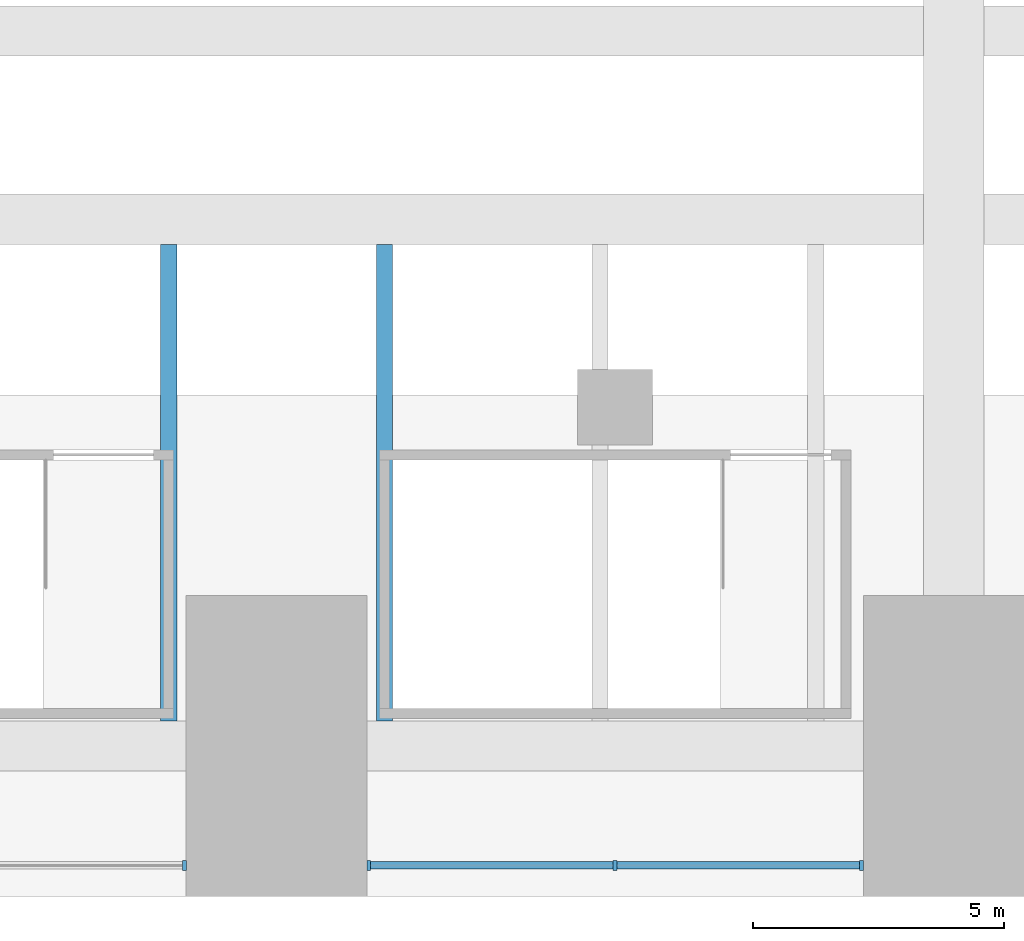
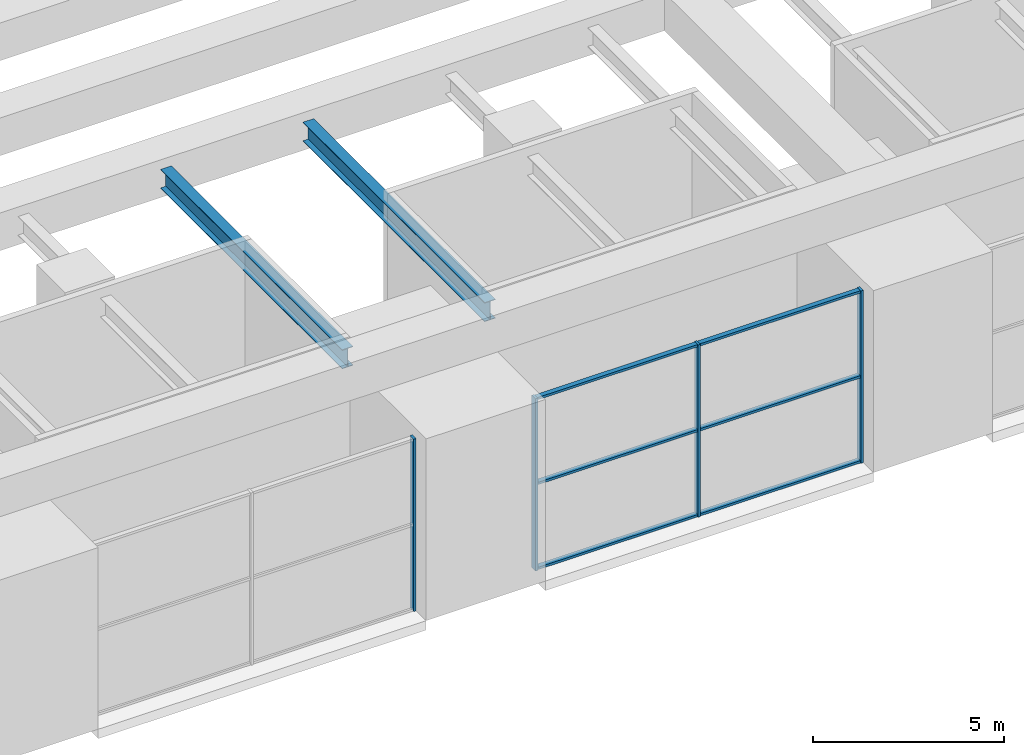
# One storey, part 4 of 45: 10 members, 2 beams, 2 elements without a shape of their own.
"""IFC4 building model written with IfcOpenShell, lengths in metres."""

from ifc_helpers import new_model, si_unit, direction, frame, origin, origin_2d, place, context, subcontext, project, spatial, rectangle, i_section, extrude, material, layer, layer_set, material_profile, profile_set, type_object, element, aggregate, save


model = new_model("IFC4")

# Units and contexts
model_context = context("Model", 3, precision=1e-05, world=origin(), true_north=direction((0.0, 1.0)))
body_context = subcontext(model_context, "Body", "Model", "MODEL_VIEW")
ifc_project = project(units=[si_unit("LENGTHUNIT", "METRE"), si_unit("AREAUNIT", "SQUARE_METRE"), si_unit("VOLUMEUNIT", "CUBIC_METRE"), si_unit("PLANEANGLEUNIT", "RADIAN"), si_unit("MASSUNIT", "GRAM", prefix="KILO")], contexts=[model_context])

# Site, building, storey
site_placement = place(None, origin())
site = spatial("IfcSite", under=ifc_project, at=site_placement, CompositionType="ELEMENT")
building_placement = place(site_placement, origin())
building = spatial("IfcBuilding", under=site, at=building_placement, Name="Corbelhall Arena Tower", CompositionType="ELEMENT")
storey_placement = place(building_placement, frame((0.0, 0.0, 37.0)))
storey = spatial("IfcBuildingStorey", under=building, at=storey_placement, Name="L05", CompositionType="ELEMENT", Elevation=37.0)

# Curtain wall, member
ifc_material_1 = material(Name="Aluminium black anodised", Category="aluminium")
ifc_layer = layer(ifc_material_1, 0.239990234375)
ifc_layer_set = layer_set([ifc_layer], Name="EV-CW4 Arena concourse glazing")
curtain_wall_type = type_object("IfcCurtainWallType", Name="EV-CW4 Arena concourse glazing", PredefinedType="NOTDEFINED", material=ifc_layer_set)
curtain_wall_1_placement = place(storey_placement, origin())
curtain_wall_1 = element("IfcCurtainWall", 1, at=curtain_wall_1_placement, inside=storey, type_object=curtain_wall_type, Name="Curtain wall CW4", PredefinedType="NOTDEFINED")
ifc_material_profile_1 = material_profile(ifc_material_1, rectangle(XDim=0.199951171875, YDim=0.074951171875, at=origin_2d()))
ifc_profile_set_1 = profile_set([ifc_material_profile_1], Name="Aluminium black anodised")
member_type_1 = type_object("IfcMemberType", Name="EV-CW4-MULLION", PredefinedType="MULLION", material=ifc_profile_set_1)
member_1_placement = place(storey_placement, frame((-15.33740234375, -38.3798828125, 0.0), z_axis=(0.0, 0.0, 1.0), x_axis=(0.0, 1.0, 0.0)))
member_1 = element("IfcMember", 2, at=member_1_placement, type_object=member_type_1, Name="CW4 mullion 3", PredefinedType="MULLION", context=body_context, shape_type="SweptSolid", body=[
    extrude(rectangle(XDim=0.199951171875, YDim=0.074951171875, at=origin_2d()), origin(), (0.0, 0.0, 1.0), 5.5),
])
aggregate(curtain_wall_1, [member_1])

# Curtain wall, members
curtain_wall_2_placement = place(storey_placement, origin())
curtain_wall_2 = element("IfcCurtainWall", 3, at=curtain_wall_2_placement, inside=storey, type_object=curtain_wall_type, Name="Curtain wall CW4", PredefinedType="NOTDEFINED")
member_2_placement = place(storey_placement, frame((-11.66259765625, -38.3798828125, 0.0), z_axis=(0.0, 0.0, 1.0), x_axis=(0.0, 1.0, 0.0)))
member_2 = element("IfcMember", 4, at=member_2_placement, type_object=member_type_1, Name="CW4 mullion 1", PredefinedType="MULLION", context=body_context, shape_type="SweptSolid", body=[
    extrude(rectangle(XDim=0.199951171875, YDim=0.074951171875, at=origin_2d()), origin(), (0.0, 0.0, 1.0), 5.5),
])
member_3_placement = place(storey_placement, frame((-6.75, -38.3798828125, 0.0), z_axis=(0.0, 0.0, 1.0), x_axis=(0.0, 1.0, 0.0)))
member_3 = element("IfcMember", 5, at=member_3_placement, type_object=member_type_1, Name="CW4 mullion 2", PredefinedType="MULLION", context=body_context, shape_type="SweptSolid", body=[
    extrude(rectangle(XDim=0.199951171875, YDim=0.074951171875, at=origin_2d()), origin(), (0.0, 0.0, 1.0), 5.5),
])
member_4_placement = place(storey_placement, frame((-1.83740234375, -38.3798828125, 0.0), z_axis=(0.0, 0.0, 1.0), x_axis=(0.0, 1.0, 0.0)))
member_4 = element("IfcMember", 6, at=member_4_placement, type_object=member_type_1, Name="CW4 mullion 3", PredefinedType="MULLION", context=body_context, shape_type="SweptSolid", body=[
    extrude(rectangle(XDim=0.199951171875, YDim=0.074951171875, at=origin_2d()), origin(), (0.0, 0.0, 1.0), 5.5),
])
ifc_material_profile_2 = material_profile(ifc_material_1, rectangle(XDim=0.14990234375, YDim=0.074951171875, at=origin_2d()))
ifc_profile_set_2 = profile_set([ifc_material_profile_2], Name="Aluminium black anodised")
member_type_2 = type_object("IfcMemberType", Name="EV-CW4-TRANSOM", PredefinedType="USERDEFINED", material=ifc_profile_set_2)
member_5_placement = place(storey_placement, frame((-11.625, -38.3798828125, 0.03759765625), z_axis=(1.0, 0.0, 0.0), x_axis=(0.0, 1.0, 0.0)))
member_5 = element("IfcMember", 7, at=member_5_placement, type_object=member_type_2, Name="CW4 transom 1.1", ObjectType="transom", PredefinedType="USERDEFINED", context=body_context, shape_type="SweptSolid", body=[
    extrude(rectangle(XDim=0.14990234375, YDim=0.074951171875, at=origin_2d()), origin(), (0.0, 0.0, 1.0), 4.83740234375),
])
member_6_placement = place(storey_placement, frame((-11.625, -38.3798828125, 2.75), z_axis=(1.0, 0.0, 0.0), x_axis=(0.0, 1.0, 0.0)))
member_6 = element("IfcMember", 8, at=member_6_placement, type_object=member_type_2, Name="CW4 transom 1.2", ObjectType="transom", PredefinedType="USERDEFINED", context=body_context, shape_type="SweptSolid", body=[
    extrude(rectangle(XDim=0.14990234375, YDim=0.074951171875, at=origin_2d()), origin(), (0.0, 0.0, 1.0), 4.83740234375),
])
member_7_placement = place(storey_placement, frame((-11.625, -38.3798828125, 5.46240234375), z_axis=(1.0, 0.0, 0.0), x_axis=(0.0, 1.0, 0.0)))
member_7 = element("IfcMember", 9, at=member_7_placement, type_object=member_type_2, Name="CW4 transom 1.3", ObjectType="transom", PredefinedType="USERDEFINED", context=body_context, shape_type="SweptSolid", body=[
    extrude(rectangle(XDim=0.14990234375, YDim=0.074951171875, at=origin_2d()), origin(), (0.0, 0.0, 1.0), 4.83740234375),
])
member_8_placement = place(storey_placement, frame((-6.71240234375, -38.3798828125, 0.03759765625), z_axis=(1.0, 0.0, 0.0), x_axis=(0.0, 1.0, 0.0)))
member_8 = element("IfcMember", 10, at=member_8_placement, type_object=member_type_2, Name="CW4 transom 2.1", ObjectType="transom", PredefinedType="USERDEFINED", context=body_context, shape_type="SweptSolid", body=[
    extrude(rectangle(XDim=0.14990234375, YDim=0.074951171875, at=origin_2d()), origin(), (0.0, 0.0, 1.0), 4.83740234375),
])
member_9_placement = place(storey_placement, frame((-6.71240234375, -38.3798828125, 2.75), z_axis=(1.0, 0.0, 0.0), x_axis=(0.0, 1.0, 0.0)))
member_9 = element("IfcMember", 11, at=member_9_placement, type_object=member_type_2, Name="CW4 transom 2.2", ObjectType="transom", PredefinedType="USERDEFINED", context=body_context, shape_type="SweptSolid", body=[
    extrude(rectangle(XDim=0.14990234375, YDim=0.074951171875, at=origin_2d()), origin(), (0.0, 0.0, 1.0), 4.83740234375),
])
member_10_placement = place(storey_placement, frame((-6.71240234375, -38.3798828125, 5.46240234375), z_axis=(1.0, 0.0, 0.0), x_axis=(0.0, 1.0, 0.0)))
member_10 = element("IfcMember", 12, at=member_10_placement, type_object=member_type_2, Name="CW4 transom 2.3", ObjectType="transom", PredefinedType="USERDEFINED", context=body_context, shape_type="SweptSolid", body=[
    extrude(rectangle(XDim=0.14990234375, YDim=0.074951171875, at=origin_2d()), origin(), (0.0, 0.0, 1.0), 4.83740234375),
])
aggregate(curtain_wall_2, [member_2, member_3, member_4, member_5, member_6, member_7, member_8, member_9, member_10])

# Beams
ifc_material_2 = material(Name="Steel ASTM A992 Gr50", Category="steel")
ifc_material_profile_3 = material_profile(ifc_material_2, i_section(OverallWidth=0.323974609375, OverallDepth=0.611083984375, WebThickness=0.0126953125, FlangeThickness=0.01904296875, at=origin_2d()))
ifc_profile_set_3 = profile_set([ifc_material_profile_3], Name="Steel ASTM A992 Gr50")
beam_type = type_object("IfcBeamType", Name="PO-BEAM-W24X104", PredefinedType="BEAM", material=ifc_profile_set_3)
for number, where, z_axis, x_axis, name in (
    (13, (-15.64990234375, -35.5, 6.39453125), (0.0, 1.0, 0.0), (-1.0, 0.0, 0.0), "DECK BEAM BOT 17.3"),
    (14, (-11.35009765625, -35.5, 6.39453125), (0.0, 1.0, 0.0), (-1.0, 0.0, 0.0), "DECK BEAM BOT 17.4"),
):
    element("IfcBeam", number, at=place(storey_placement, frame(where, z_axis=z_axis, x_axis=x_axis)), inside=storey, type_object=beam_type, Name=name, PredefinedType="BEAM", context=body_context, shape_type="SweptSolid", body=[
        extrude(i_section(OverallWidth=0.323974609375, OverallDepth=0.611083984375, WebThickness=0.0126953125, FlangeThickness=0.01904296875, at=origin_2d()), origin(), (0.0, 0.0, 1.0), 9.5),
    ])

save(model, "model.ifc")
